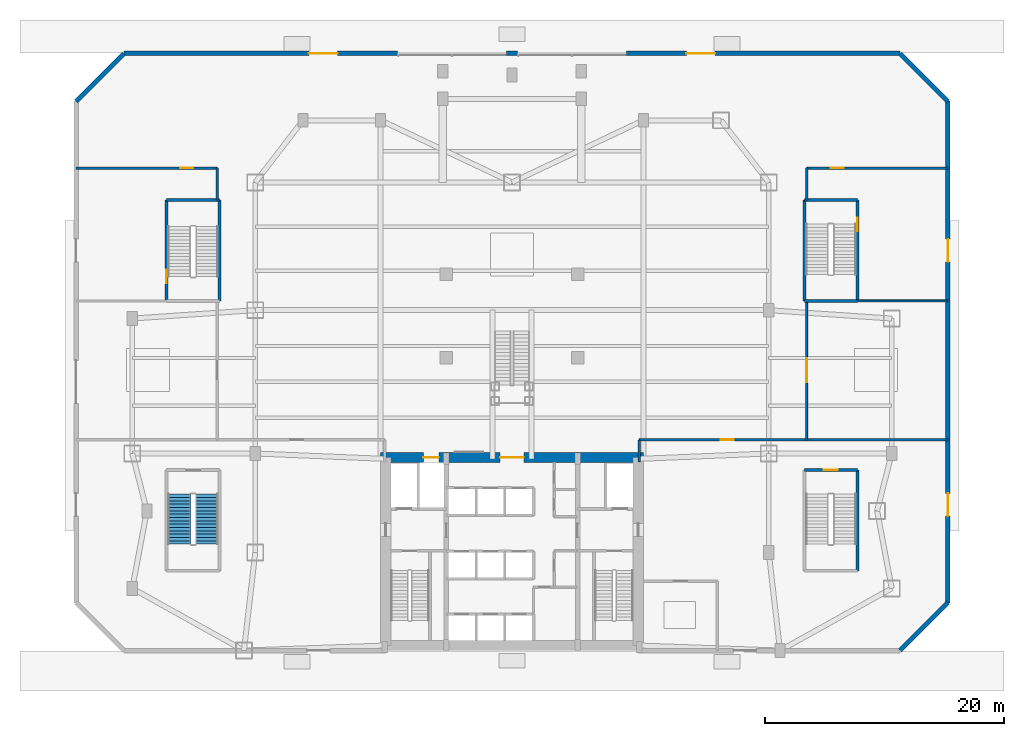
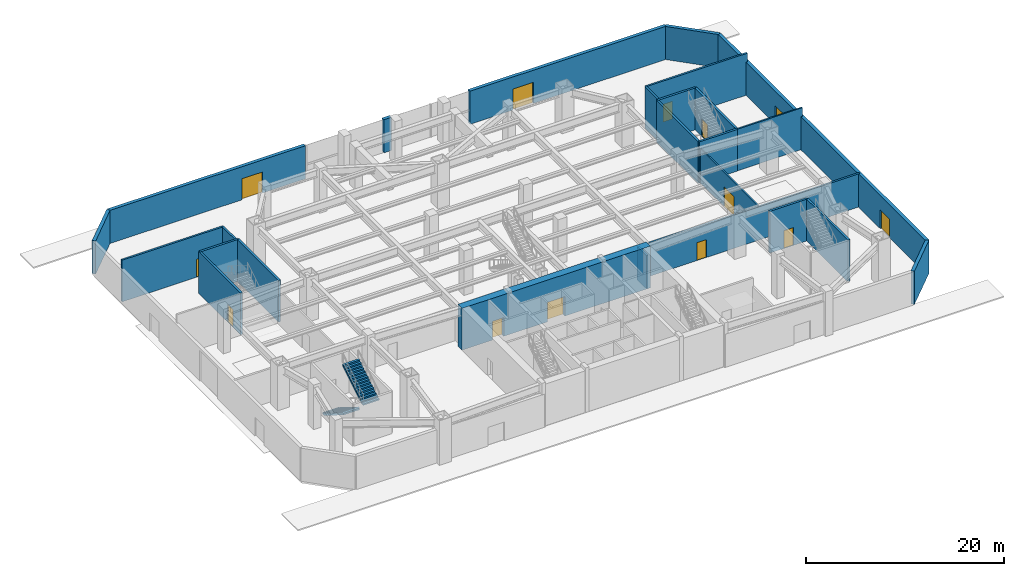
# One storey, part 7 of 11: 25 walls, 13 doors, 2 stair flights, 13 openings, 1 element without a shape of its own.
"""IFC4 building model written with IfcOpenShell, lengths in metres."""

from ifc_helpers import new_model, si_unit, direction, frame, frame_2d, origin, place, context, subcontext, project, spatial, polyline, rectangle, outline, extrude, source, transform, mapped, material, layer, layer_set, type_object, type_shapes, element, fill, aggregate, save


model = new_model("IFC4")

# Units and contexts
model_context = context("Model", 3, precision=1e-05, world=origin(), true_north=direction((0.0, 1.0)))
body_context = subcontext(model_context, "Body", "Model", "MODEL_VIEW")
ifc_project = project(units=[si_unit("LENGTHUNIT", "METRE"), si_unit("AREAUNIT", "SQUARE_METRE"), si_unit("VOLUMEUNIT", "CUBIC_METRE"), si_unit("PLANEANGLEUNIT", "RADIAN"), si_unit("MASSUNIT", "GRAM", prefix="KILO")], contexts=[model_context])

# Site, building, storey
site_placement = place(None, origin())
site = spatial("IfcSite", under=ifc_project, at=site_placement, CompositionType="ELEMENT")
building_placement = place(site_placement, origin())
building = spatial("IfcBuilding", under=site, at=building_placement, Name="Varnakhor Terracotta Tower", CompositionType="ELEMENT")
storey_placement = place(building_placement, origin())
storey = spatial("IfcBuildingStorey", under=building, at=storey_placement, Name="L00", CompositionType="ELEMENT", Elevation=0.0)

# Wall, openings, doors
ifc_material_1 = material(Name="Concrete C60/75", Category="concrete")
ifc_layer_1 = layer(ifc_material_1, 0.85009765625, Name="Concrete C60/75")
ifc_layer_set_1 = layer_set([ifc_layer_1], Name="Concrete C60/75")
wall_type_1 = type_object("IfcWallType", Name="WAL-CORE-850", PredefinedType="SHEAR", material=ifc_layer_set_1)
wall_1_placement = place(storey_placement, frame((-11.0, 16.175048828125, 0.0), z_axis=(0.0, 0.0, 1.0), x_axis=(1.0, 0.0, 0.0)))
wall_1 = element("IfcWall", 1, at=wall_1_placement, inside=storey, type_object=wall_type_1, Name="L00 North Core Shear Wall", PredefinedType="SHEAR", context=body_context, shape_type="SweptSolid", body=[
    extrude(rectangle(XDim=22.0, YDim=0.85009765625, at=frame_2d((11.0, 0.0))), origin(), (0.0, 0.0, 1.0), 5.14990234375),
])
opening_1_placement = place(wall_1_placement, frame((3.570068359375, 0.0, 0.0)))
opening_1 = element("IfcOpeningElement", 2, at=opening_1_placement, cuts=wall_1, Name="Opening LD-03", PredefinedType="OPENING", context=body_context, shape_type="SweptSolid", body=[
    extrude(rectangle(XDim=1.300048828125, YDim=2.300048828125, at=frame_2d((0.64990234375, 1.14990234375))), frame((0.0, 0.43505859375, 0.0), z_axis=(0.0, -1.0, 0.0), x_axis=(1.0, 0.0, 0.0)), (0.0, 0.0, 1.0), 0.8701171875),
])
opening_2_placement = place(wall_1_placement, frame((10.0, 0.0, 0.0)))
opening_2 = element("IfcOpeningElement", 3, at=opening_2_placement, cuts=wall_1, Name="Opening DR-32", PredefinedType="OPENING", context=body_context, shape_type="SweptSolid", body=[
    extrude(rectangle(XDim=2.0, YDim=2.39990234375, at=frame_2d((1.0, 1.199951171875))), frame((0.0, 0.43505859375, 0.0), z_axis=(0.0, -1.0, 0.0), x_axis=(1.0, 0.0, 0.0)), (0.0, 0.0, 1.0), 0.8701171875),
])
ifc_material_2 = material(Name="Heavy-Duty Goods Sliding Lift Landing Door", Category="steel")
door_type_1 = type_object("IfcDoorType", Name="LD-SRV-1300X2300", OperationType="NOTDEFINED", PredefinedType="DOOR", material=ifc_material_2)
shared_shape_1 = source(origin(), body_context, "Body", "SweptSolid", [
    extrude(rectangle(XDim=1.300048828125, YDim=2.300048828125, at=frame_2d((0.64990234375, 1.14990234375))), frame((0.0, 0.02490234375, 0.0), z_axis=(0.0, -1.0, 0.0), x_axis=(1.0, 0.0, 0.0)), (0.0, 0.0, 1.0), 0.050048828125),
])
type_shapes(door_type_1, [shared_shape_1])
door_1_placement = place(opening_1_placement, origin())
door_1 = element("IfcDoor", 4, at=door_1_placement, inside=storey, type_object=door_type_1, Name="L00 Service Lift SVL-1 Landing Door", OperationType="SLIDING_TO_RIGHT", OverallHeight=2.300048828125, OverallWidth=1.300048828125, PredefinedType="DOOR", context=body_context, shape_type="MappedRepresentation", body=[
    mapped(shared_shape_1, transform((0.0, 0.0, 0.0), scale=1.0)),
])
fill(opening_1, door_1)
ifc_material_3 = material(Name="Acoustic Double Assembly Fire Door", Category="wood")
door_type_2 = type_object("IfcDoorType", Name="DR-HALL-2000X2400", OperationType="NOTDEFINED", PredefinedType="DOOR", material=ifc_material_3)
shared_shape_2 = source(origin(), body_context, "Body", "SweptSolid", [
    extrude(rectangle(XDim=2.0, YDim=2.39990234375, at=frame_2d((1.0, 1.199951171875))), frame((0.0, 0.02490234375, 0.0), z_axis=(0.0, -1.0, 0.0), x_axis=(1.0, 0.0, 0.0)), (0.0, 0.0, 1.0), 0.050048828125),
])
type_shapes(door_type_2, [shared_shape_2])
door_2_placement = place(opening_2_placement, origin())
door_2 = element("IfcDoor", 5, at=door_2_placement, inside=storey, type_object=door_type_2, Name="L00 Core Main Lobby Double Door", OperationType="DOUBLE_DOOR_SINGLE_SWING", OverallHeight=2.39990234375, OverallWidth=2.0, PredefinedType="DOOR", context=body_context, shape_type="MappedRepresentation", body=[
    mapped(shared_shape_2, transform((0.0, 0.0, 0.0), scale=1.0)),
])
fill(opening_2, door_2)

# Walls
ifc_material_4 = material(Name="Honed Riyadh Limestone Assembly", Category="masonry")
ifc_layer_2 = layer(ifc_material_4, 0.3798828125, Name="Honed Riyadh Limestone Assembly")
ifc_layer_set_2 = layer_set([ifc_layer_2], Name="Honed Riyadh Limestone Assembly")
wall_type_2 = type_object("IfcWallType", Name="WAL-EXT-LIMESTONE-380", PredefinedType="SOLIDWALL", material=ifc_layer_set_2)
wall_2_placement = place(storey_placement, frame((-36.5, 46.0, 0.0), z_axis=(0.0, 0.0, 1.0), x_axis=(0.707106781187, 0.707106781187, 0.0)))
element("IfcWall", 6, at=wall_2_placement, inside=storey, type_object=wall_type_2, Name="L00 Podium Chamfer Limestone Wall 2", PredefinedType="SOLIDWALL", context=body_context, shape_type="SweptSolid", body=[
    extrude(rectangle(XDim=5.65673828125, YDim=0.3798828125, at=frame_2d((2.828369140625, 0.0))), origin(), (0.0, 0.0, 1.0), 4.090087890625),
])
wall_3_placement = place(storey_placement, frame((-0.449951171875, 50.0, 0.0), z_axis=(0.0, 0.0, 1.0), x_axis=(1.0, 0.0, 0.0)))
element("IfcWall", 7, at=wall_3_placement, inside=storey, type_object=wall_type_2, Name="L00 North Central Stone Pier", PredefinedType="SOLIDWALL", context=body_context, shape_type="SweptSolid", body=[
    extrude(rectangle(XDim=0.89990234375, YDim=0.3798828125, at=frame_2d((0.449951171875, 0.0))), origin(), (0.0, 0.0, 1.0), 4.090087890625),
])

# Wall, opening, door
wall_4_placement = place(storey_placement, frame((-32.5, 50.0, 0.0), z_axis=(0.0, 0.0, 1.0), x_axis=(1.0, 0.0, 0.0)))
wall_4 = element("IfcWall", 8, at=wall_4_placement, inside=storey, type_object=wall_type_2, Name="L00 North Podium Wall NW", PredefinedType="SOLIDWALL", context=body_context, shape_type="SweptSolid", body=[
    extrude(rectangle(XDim=22.89990234375, YDim=0.3798828125, at=frame_2d((11.449951171875, 0.0))), origin(), (0.0, 0.0, 1.0), 4.090087890625),
])
opening_3_placement = place(wall_4_placement, frame((15.5, 0.0, 0.0)))
opening_3 = element("IfcOpeningElement", 9, at=opening_3_placement, cuts=wall_4, Name="Opening DR-12", PredefinedType="OPENING", context=body_context, shape_type="SweptSolid", body=[
    extrude(rectangle(XDim=2.39990234375, YDim=2.60009765625, at=frame_2d((1.199951171875, 1.300048828125))), frame((0.0, 0.199951171875, 0.0), z_axis=(0.0, -1.0, 0.0), x_axis=(1.0, 0.0, 0.0)), (0.0, 0.0, 1.0), 0.39990234375),
])
ifc_material_5 = material(Name="Thermally Broken Glazed Aluminium Entrance Door", Category="aluminium")
door_type_3 = type_object("IfcDoorType", Name="DR-EXT-MAIN-2400X2600", OperationType="NOTDEFINED", PredefinedType="DOOR", material=ifc_material_5)
shared_shape_3 = source(origin(), body_context, "Body", "SweptSolid", [
    extrude(rectangle(XDim=2.39990234375, YDim=2.60009765625, at=frame_2d((1.199951171875, 1.300048828125))), frame((0.0, 0.02490234375, 0.0), z_axis=(0.0, -1.0, 0.0), x_axis=(1.0, 0.0, 0.0)), (0.0, 0.0, 1.0), 0.050048828125),
])
type_shapes(door_type_3, [shared_shape_3])
door_3_placement = place(opening_3_placement, origin())
door_3 = element("IfcDoor", 10, at=door_3_placement, inside=storey, type_object=door_type_3, Name="L00 Main Arrival Entrance Door NW", OperationType="DOUBLE_DOOR_SINGLE_SWING", OverallHeight=2.60009765625, OverallWidth=2.39990234375, PredefinedType="DOOR", context=body_context, shape_type="MappedRepresentation", body=[
    mapped(shared_shape_3, transform((0.0, 0.0, 0.0), scale=1.0)),
])
fill(opening_3, door_3)

wall_5_placement = place(storey_placement, frame((9.60009765625, 50.0, 0.0), z_axis=(0.0, 0.0, 1.0), x_axis=(1.0, 0.0, 0.0)))
wall_5 = element("IfcWall", 11, at=wall_5_placement, inside=storey, type_object=wall_type_2, Name="L00 North Podium Wall NE", PredefinedType="SOLIDWALL", context=body_context, shape_type="SweptSolid", body=[
    extrude(rectangle(XDim=22.89990234375, YDim=0.3798828125, at=frame_2d((11.449951171875, 0.0))), origin(), (0.0, 0.0, 1.0), 4.090087890625),
])
opening_4_placement = place(wall_5_placement, frame((5.0, 0.0, 0.0)))
opening_4 = element("IfcOpeningElement", 12, at=opening_4_placement, cuts=wall_5, Name="Opening DR-12", PredefinedType="OPENING", context=body_context, shape_type="SweptSolid", body=[
    extrude(rectangle(XDim=2.39990234375, YDim=2.60009765625, at=frame_2d((1.199951171875, 1.300048828125))), frame((0.0, 0.199951171875, 0.0), z_axis=(0.0, -1.0, 0.0), x_axis=(1.0, 0.0, 0.0)), (0.0, 0.0, 1.0), 0.39990234375),
])
door_4_placement = place(opening_4_placement, origin())
door_4 = element("IfcDoor", 13, at=door_4_placement, inside=storey, type_object=door_type_3, Name="L00 Main Arrival Entrance Door NE", OperationType="DOUBLE_DOOR_SINGLE_SWING", OverallHeight=2.60009765625, OverallWidth=2.39990234375, PredefinedType="DOOR", context=body_context, shape_type="MappedRepresentation", body=[
    mapped(shared_shape_3, transform((0.0, 0.0, 0.0), scale=1.0)),
])
fill(opening_4, door_4)

# Wall
wall_6_placement = place(storey_placement, frame((32.5, 50.0, 0.0), z_axis=(0.0, 0.0, 1.0), x_axis=(0.707106781187, -0.707106781187, 0.0)))
element("IfcWall", 14, at=wall_6_placement, inside=storey, type_object=wall_type_2, Name="L00 Podium Chamfer Limestone Wall 4", PredefinedType="SOLIDWALL", context=body_context, shape_type="SweptSolid", body=[
    extrude(rectangle(XDim=5.65673828125, YDim=0.3798828125, at=frame_2d((2.828369140625, 0.0))), origin(), (0.0, 0.0, 1.0), 4.090087890625),
])

# Wall, openings, doors
wall_7_placement = place(storey_placement, frame((36.5, 46.0, 0.0), z_axis=(0.0, 0.0, 1.0), x_axis=(0.0, -1.0, 0.0)))
wall_7 = element("IfcWall", 15, at=wall_7_placement, inside=storey, type_object=wall_type_2, Name="L00 Podium Side Limestone Wall 5", PredefinedType="SOLIDWALL", context=body_context, shape_type="SweptSolid", body=[
    extrude(rectangle(XDim=42.0, YDim=0.3798828125, at=frame_2d((21.0, 0.0))), origin(), (0.0, 0.0, 1.0), 4.090087890625),
])
opening_5_placement = place(wall_7_placement, frame((32.85009765625, 0.0, 0.0)))
opening_5 = element("IfcOpeningElement", 16, at=opening_5_placement, cuts=wall_7, Name="Opening DR-56", PredefinedType="OPENING", context=body_context, shape_type="SweptSolid", body=[
    extrude(rectangle(XDim=1.89990234375, YDim=2.300048828125, at=frame_2d((0.949951171875, 1.14990234375))), frame((0.0, 0.199951171875, 0.0), z_axis=(0.0, -1.0, 0.0), x_axis=(1.0, 0.0, 0.0)), (0.0, 0.0, 1.0), 0.39990234375),
])
opening_6_placement = place(wall_7_placement, frame((11.550048828125, 0.0, 0.0)))
opening_6 = element("IfcOpeningElement", 17, at=opening_6_placement, cuts=wall_7, Name="Opening DR-56", PredefinedType="OPENING", context=body_context, shape_type="SweptSolid", body=[
    extrude(rectangle(XDim=1.89990234375, YDim=2.300048828125, at=frame_2d((0.949951171875, 1.14990234375))), frame((0.0, 0.199951171875, 0.0), z_axis=(0.0, -1.0, 0.0), x_axis=(1.0, 0.0, 0.0)), (0.0, 0.0, 1.0), 0.39990234375),
])
ifc_material_6 = material(Name="Insulated Steel Double Exit Door", Category="steel")
door_type_4 = type_object("IfcDoorType", Name="DR-EXT-EXIT-1900X2300", OperationType="NOTDEFINED", PredefinedType="DOOR", material=ifc_material_6)
shared_shape_4 = source(origin(), body_context, "Body", "SweptSolid", [
    extrude(rectangle(XDim=1.89990234375, YDim=2.300048828125, at=frame_2d((0.949951171875, 1.14990234375))), frame((0.0, 0.02490234375, 0.0), z_axis=(0.0, -1.0, 0.0), x_axis=(1.0, 0.0, 0.0)), (0.0, 0.0, 1.0), 0.050048828125),
])
type_shapes(door_type_4, [shared_shape_4])
door_5_placement = place(opening_5_placement, origin())
door_5 = element("IfcDoor", 18, at=door_5_placement, inside=storey, type_object=door_type_4, Name="L00 Podium Exit Discharge Door E1", OperationType="DOUBLE_DOOR_SINGLE_SWING", OverallHeight=2.300048828125, OverallWidth=1.89990234375, PredefinedType="DOOR", context=body_context, shape_type="MappedRepresentation", body=[
    mapped(shared_shape_4, transform((0.0, 0.0, 0.0), scale=1.0)),
])
fill(opening_5, door_5)
door_6_placement = place(opening_6_placement, origin())
door_6 = element("IfcDoor", 19, at=door_6_placement, inside=storey, type_object=door_type_4, Name="L00 Podium Exit Discharge Door E2", OperationType="DOUBLE_DOOR_SINGLE_SWING", OverallHeight=2.300048828125, OverallWidth=1.89990234375, PredefinedType="DOOR", context=body_context, shape_type="MappedRepresentation", body=[
    mapped(shared_shape_4, transform((0.0, 0.0, 0.0), scale=1.0)),
])
fill(opening_6, door_6)

# Wall
wall_8_placement = place(storey_placement, frame((36.5, 4.0, 0.0), z_axis=(0.0, 0.0, 1.0), x_axis=(-0.707106781187, -0.707106781187, 0.0)))
element("IfcWall", 20, at=wall_8_placement, inside=storey, type_object=wall_type_2, Name="L00 Podium Chamfer Limestone Wall 6", PredefinedType="SOLIDWALL", context=body_context, shape_type="SweptSolid", body=[
    extrude(rectangle(XDim=5.65673828125, YDim=0.3798828125, at=frame_2d((2.828369140625, 0.0))), origin(), (0.0, 0.0, 1.0), 4.090087890625),
])

# Wall, opening, door
ifc_material_7 = material(Name="Concrete C40/50", Category="concrete")
ifc_layer_3 = layer(ifc_material_7, 0.219970703125, Name="Concrete C40/50")
ifc_layer_set_3 = layer_set([ifc_layer_3], Name="Concrete C40/50")
wall_type_3 = type_object("IfcWallType", Name="WAL-FFLOBBY-220", PredefinedType="SOLIDWALL", material=ifc_layer_set_3)
wall_9_placement = place(storey_placement, frame((10.64990234375, 17.64990234375, 0.0), z_axis=(0.0, 0.0, 1.0), x_axis=(1.0, 0.0, 0.0)))
wall_9 = element("IfcWall", 21, at=wall_9_placement, inside=storey, type_object=wall_type_3, Name="L00 East Protected Exit Passageway North Wall", PredefinedType="SOLIDWALL", context=body_context, shape_type="SweptSolid", body=[
    extrude(rectangle(XDim=25.840087890625, YDim=0.219970703125, at=frame_2d((12.919921875, 0.0))), origin(), (0.0, 0.0, 1.0), 4.10205078125),
])
opening_7_placement = place(wall_9_placement, frame((6.834716796875, 0.0, 0.0)))
opening_7 = element("IfcOpeningElement", 22, at=opening_7_placement, cuts=wall_9, Name="Opening DR-25", PredefinedType="OPENING", context=body_context, shape_type="SweptSolid", body=[
    extrude(rectangle(XDim=1.10009765625, YDim=2.199951171875, at=frame_2d((0.550048828125, 1.10009765625))), frame((0.0, 0.1201171875, 0.0), z_axis=(0.0, -1.0, 0.0), x_axis=(1.0, 0.0, 0.0)), (0.0, 0.0, 1.0), 0.239990234375),
])
ifc_material_8 = material(Name="Firefighting Lobby Self-Closing Fire Door", Category="steel")
door_type_5 = type_object("IfcDoorType", Name="DR-FFL-1100X2200", OperationType="NOTDEFINED", PredefinedType="DOOR", material=ifc_material_8)
shared_shape_5 = source(origin(), body_context, "Body", "SweptSolid", [
    extrude(rectangle(XDim=1.10009765625, YDim=2.199951171875, at=frame_2d((0.550048828125, 1.10009765625))), frame((0.0, 0.02490234375, 0.0), z_axis=(0.0, -1.0, 0.0), x_axis=(1.0, 0.0, 0.0)), (0.0, 0.0, 1.0), 0.050048828125),
])
type_shapes(door_type_5, [shared_shape_5])
door_7_placement = place(opening_7_placement, origin())
door_7 = element("IfcDoor", 23, at=door_7_placement, inside=storey, type_object=door_type_5, Name="East Exit Passageway Fire Door", OperationType="SINGLE_SWING_LEFT", OverallHeight=2.199951171875, OverallWidth=1.10009765625, PredefinedType="DOOR", context=body_context, shape_type="MappedRepresentation", body=[
    mapped(shared_shape_5, transform((0.0, 0.0, 0.0), scale=1.0)),
])
fill(opening_7, door_7)

# Walls
wall_10_placement = place(storey_placement, frame((10.64990234375, 15.800048828125, 0.0), z_axis=(0.0, 0.0, 1.0), x_axis=(0.0, 1.0, 0.0)))
element("IfcWall", 24, at=wall_10_placement, inside=storey, type_object=wall_type_3, Name="L00 East Protected Exit Passageway Core Return Wall", PredefinedType="SOLIDWALL", context=body_context, shape_type="SweptSolid", body=[
    extrude(rectangle(XDim=1.849853515625, YDim=0.219970703125, at=frame_2d((0.9248046875, 0.0))), origin(), (0.0, 0.0, 1.0), 4.10205078125),
])
wall_11_placement = place(storey_placement, frame((-24.679931640625, 37.719970703125, 0.0), z_axis=(0.0, 0.0, 1.0), x_axis=(0.0, 1.0, 0.0)))
element("IfcWall", 25, at=wall_11_placement, inside=storey, type_object=wall_type_3, Name="L00 North-West Exit Passageway East Wall", PredefinedType="SOLIDWALL", context=body_context, shape_type="SweptSolid", body=[
    extrude(rectangle(XDim=2.679931640625, YDim=0.219970703125, at=frame_2d((1.33984375, 0.0))), origin(), (0.0, 0.0, 1.0), 5.14208984375),
])

# Wall, opening, door
wall_12_placement = place(storey_placement, frame((-36.489990234375, 40.39990234375, 0.0), z_axis=(0.0, 0.0, 1.0), x_axis=(1.0, 0.0, 0.0)))
wall_12 = element("IfcWall", 26, at=wall_12_placement, inside=storey, type_object=wall_type_3, Name="L00 North-West Exit Passageway North Wall", PredefinedType="SOLIDWALL", context=body_context, shape_type="SweptSolid", body=[
    extrude(rectangle(XDim=11.81005859375, YDim=0.219970703125, at=frame_2d((5.905029296875, 0.0))), origin(), (0.0, 0.0, 1.0), 5.14208984375),
])
opening_8_placement = place(wall_12_placement, frame((8.694091796875, 0.0, 0.0)))
opening_8 = element("IfcOpeningElement", 27, at=opening_8_placement, cuts=wall_12, Name="Opening DR-25", PredefinedType="OPENING", context=body_context, shape_type="SweptSolid", body=[
    extrude(rectangle(XDim=1.10009765625, YDim=2.199951171875, at=frame_2d((0.550048828125, 1.10009765625))), frame((0.0, 0.1201171875, 0.0), z_axis=(0.0, -1.0, 0.0), x_axis=(1.0, 0.0, 0.0)), (0.0, 0.0, 1.0), 0.239990234375),
])
door_8_placement = place(opening_8_placement, origin())
door_8 = element("IfcDoor", 28, at=door_8_placement, inside=storey, type_object=door_type_5, Name="North-West Exit Passageway Fire Door", OperationType="SINGLE_SWING_RIGHT", OverallHeight=2.199951171875, OverallWidth=1.10009765625, PredefinedType="DOOR", context=body_context, shape_type="MappedRepresentation", body=[
    mapped(shared_shape_5, transform((0.0, 0.0, 0.0), scale=1.0)),
])
fill(opening_8, door_8)

# Wall
wall_13_placement = place(storey_placement, frame((24.679931640625, 37.719970703125, 0.0), z_axis=(0.0, 0.0, 1.0), x_axis=(0.0, 1.0, 0.0)))
element("IfcWall", 29, at=wall_13_placement, inside=storey, type_object=wall_type_3, Name="L00 North-East Exit Passageway West Wall", PredefinedType="SOLIDWALL", context=body_context, shape_type="SweptSolid", body=[
    extrude(rectangle(XDim=2.679931640625, YDim=0.219970703125, at=frame_2d((1.33984375, 0.0))), origin(), (0.0, 0.0, 1.0), 5.14208984375),
])

# Wall, opening, door
wall_14_placement = place(storey_placement, frame((24.679931640625, 40.39990234375, 0.0), z_axis=(0.0, 0.0, 1.0), x_axis=(1.0, 0.0, 0.0)))
wall_14 = element("IfcWall", 30, at=wall_14_placement, inside=storey, type_object=wall_type_3, Name="L00 North-East Exit Passageway North Wall", PredefinedType="SOLIDWALL", context=body_context, shape_type="SweptSolid", body=[
    extrude(rectangle(XDim=11.81005859375, YDim=0.219970703125, at=frame_2d((5.905029296875, 0.0))), origin(), (0.0, 0.0, 1.0), 5.14208984375),
])
opening_9_placement = place(wall_14_placement, frame((2.01611328125, 0.0, 0.0)))
opening_9 = element("IfcOpeningElement", 31, at=opening_9_placement, cuts=wall_14, Name="Opening DR-25", PredefinedType="OPENING", context=body_context, shape_type="SweptSolid", body=[
    extrude(rectangle(XDim=1.10009765625, YDim=2.199951171875, at=frame_2d((0.550048828125, 1.10009765625))), frame((0.0, 0.1201171875, 0.0), z_axis=(0.0, -1.0, 0.0), x_axis=(1.0, 0.0, 0.0)), (0.0, 0.0, 1.0), 0.239990234375),
])
door_9_placement = place(opening_9_placement, origin())
door_9 = element("IfcDoor", 32, at=door_9_placement, inside=storey, type_object=door_type_5, Name="North-East Exit Passageway Fire Door", OperationType="SINGLE_SWING_LEFT", OverallHeight=2.199951171875, OverallWidth=1.10009765625, PredefinedType="DOOR", context=body_context, shape_type="MappedRepresentation", body=[
    mapped(shared_shape_5, transform((0.0, 0.0, 0.0), scale=1.0)),
])
fill(opening_9, door_9)

# Wall
ifc_layer_4 = layer(ifc_material_7, 0.25, Name="Concrete C40/50")
ifc_layer_set_4 = layer_set([ifc_layer_4], Name="Concrete C40/50")
wall_type_4 = type_object("IfcWallType", Name="WAL-SHAFT-250", PredefinedType="SOLIDWALL", material=ifc_layer_set_4)
wall_15_placement = place(storey_placement, frame((28.919921875, 6.679931640625, 0.0), z_axis=(0.0, 0.0, 1.0), x_axis=(0.0, 1.0, 0.0)))
element("IfcWall", 33, at=wall_15_placement, inside=storey, type_object=wall_type_4, Name="L00 ST-P2 Bearing Shaft Wall E", PredefinedType="SOLIDWALL", context=body_context, shape_type="SweptSolid", body=[
    extrude(rectangle(XDim=8.440185546875, YDim=0.25, at=frame_2d((4.22021484375, 0.0))), origin(), (0.0, 0.0, 1.0), 5.14990234375),
])

# Wall, opening, door
wall_16_placement = place(storey_placement, frame((24.47998046875, 15.1201171875, 0.0), z_axis=(0.0, 0.0, 1.0), x_axis=(1.0, 0.0, 0.0)))
wall_16 = element("IfcWall", 34, at=wall_16_placement, inside=storey, type_object=wall_type_4, Name="L00 ST-P2 Bearing Shaft Wall N", PredefinedType="SOLIDWALL", context=body_context, shape_type="SweptSolid", body=[
    extrude(rectangle(XDim=4.43994140625, YDim=0.25, at=frame_2d((2.219970703125, 0.0))), origin(), (0.0, 0.0, 1.0), 5.14990234375),
])
opening_10_placement = place(wall_16_placement, frame((1.64501953125, 0.0, 0.0)))
opening_10 = element("IfcOpeningElement", 35, at=opening_10_placement, cuts=wall_16, Name="Opening DR-34", PredefinedType="OPENING", context=body_context, shape_type="SweptSolid", body=[
    extrude(rectangle(XDim=1.14990234375, YDim=2.199951171875, at=frame_2d((0.574951171875, 1.10009765625))), frame((0.0, 0.135009765625, 0.0), z_axis=(0.0, -1.0, 0.0), x_axis=(1.0, 0.0, 0.0)), (0.0, 0.0, 1.0), 0.27001953125),
])
ifc_material_9 = material(Name="Self-Closing Smoke-Sealed Steel Fire Door", Category="steel")
door_type_6 = type_object("IfcDoorType", Name="DR-STAIR-1150X2200", OperationType="NOTDEFINED", PredefinedType="DOOR", material=ifc_material_9)
shared_shape_6 = source(origin(), body_context, "Body", "SweptSolid", [
    extrude(rectangle(XDim=1.14990234375, YDim=2.199951171875, at=frame_2d((0.574951171875, 1.10009765625))), frame((0.0, 0.02490234375, 0.0), z_axis=(0.0, -1.0, 0.0), x_axis=(1.0, 0.0, 0.0)), (0.0, 0.0, 1.0), 0.050048828125),
])
type_shapes(door_type_6, [shared_shape_6])
door_10_placement = place(opening_10_placement, origin())
door_10 = element("IfcDoor", 36, at=door_10_placement, inside=storey, type_object=door_type_6, Name="L00 Exit Stair ST-P2 Fire Door", OperationType="SINGLE_SWING_RIGHT", OverallHeight=2.199951171875, OverallWidth=1.14990234375, PredefinedType="DOOR", context=body_context, shape_type="MappedRepresentation", body=[
    mapped(shared_shape_6, transform((0.0, 0.0, 0.0), scale=1.0)),
])
fill(opening_10, door_10)

wall_17_placement = place(storey_placement, frame((-28.919921875, 37.719970703125, 0.0), z_axis=(0.0, 0.0, 1.0), x_axis=(0.0, -1.0, 0.0)))
wall_17 = element("IfcWall", 37, at=wall_17_placement, inside=storey, type_object=wall_type_4, Name="L00 ST-P3 Bearing Shaft Wall W", PredefinedType="SOLIDWALL", context=body_context, shape_type="SweptSolid", body=[
    extrude(rectangle(XDim=8.43994140625, YDim=0.25, at=frame_2d((4.219970703125, 0.0))), origin(), (0.0, 0.0, 1.0), 5.14990234375),
])
opening_11_placement = place(wall_17_placement, frame((5.81787109375, 0.0, 0.0)))
opening_11 = element("IfcOpeningElement", 38, at=opening_11_placement, cuts=wall_17, Name="Opening DR-34", PredefinedType="OPENING", context=body_context, shape_type="SweptSolid", body=[
    extrude(rectangle(XDim=1.14990234375, YDim=2.199951171875, at=frame_2d((0.574951171875, 1.10009765625))), frame((0.0, 0.135009765625, 0.0), z_axis=(0.0, -1.0, 0.0), x_axis=(1.0, 0.0, 0.0)), (0.0, 0.0, 1.0), 0.27001953125),
])
door_11_placement = place(opening_11_placement, origin())
door_11 = element("IfcDoor", 39, at=door_11_placement, inside=storey, type_object=door_type_6, Name="L00 Exit Stair ST-P3 Fire Door", OperationType="SINGLE_SWING_LEFT", OverallHeight=2.199951171875, OverallWidth=1.14990234375, PredefinedType="DOOR", context=body_context, shape_type="MappedRepresentation", body=[
    mapped(shared_shape_6, transform((0.0, 0.0, 0.0), scale=1.0)),
])
fill(opening_11, door_11)

# Walls
wall_18_placement = place(storey_placement, frame((-24.47998046875, 29.280029296875, 0.0), z_axis=(0.0, 0.0, 1.0), x_axis=(0.0, 1.0, 0.0)))
element("IfcWall", 40, at=wall_18_placement, inside=storey, type_object=wall_type_4, Name="L00 ST-P3 Bearing Shaft Wall E", PredefinedType="SOLIDWALL", context=body_context, shape_type="SweptSolid", body=[
    extrude(rectangle(XDim=8.43994140625, YDim=0.25, at=frame_2d((4.219970703125, 0.0))), origin(), (0.0, 0.0, 1.0), 5.14990234375),
])
wall_19_placement = place(storey_placement, frame((-28.919921875, 37.719970703125, 0.0), z_axis=(0.0, 0.0, 1.0), x_axis=(1.0, 0.0, 0.0)))
element("IfcWall", 41, at=wall_19_placement, inside=storey, type_object=wall_type_4, Name="L00 ST-P3 Bearing Shaft Wall N", PredefinedType="SOLIDWALL", context=body_context, shape_type="SweptSolid", body=[
    extrude(rectangle(XDim=4.43994140625, YDim=0.25, at=frame_2d((2.219970703125, 0.0))), origin(), (0.0, 0.0, 1.0), 5.14990234375),
])
wall_20_placement = place(storey_placement, frame((24.47998046875, 29.280029296875, 0.0), z_axis=(0.0, 0.0, 1.0), x_axis=(0.0, 1.0, 0.0)))
element("IfcWall", 42, at=wall_20_placement, inside=storey, type_object=wall_type_4, Name="L00 ST-P4 Bearing Shaft Wall W", PredefinedType="SOLIDWALL", context=body_context, shape_type="SweptSolid", body=[
    extrude(rectangle(XDim=8.43994140625, YDim=0.25, at=frame_2d((4.219970703125, 0.0))), origin(), (0.0, 0.0, 1.0), 5.14990234375),
])

# Wall, opening, door
wall_21_placement = place(storey_placement, frame((28.919921875, 29.280029296875, 0.0), z_axis=(0.0, 0.0, 1.0), x_axis=(0.0, 1.0, 0.0)))
wall_21 = element("IfcWall", 43, at=wall_21_placement, inside=storey, type_object=wall_type_4, Name="L00 ST-P4 Bearing Shaft Wall E", PredefinedType="SOLIDWALL", context=body_context, shape_type="SweptSolid", body=[
    extrude(rectangle(XDim=8.43994140625, YDim=0.25, at=frame_2d((4.219970703125, 0.0))), origin(), (0.0, 0.0, 1.0), 5.14990234375),
])
opening_12_placement = place(wall_21_placement, frame((5.81787109375, 0.0, 0.0)))
opening_12 = element("IfcOpeningElement", 44, at=opening_12_placement, cuts=wall_21, Name="Opening DR-34", PredefinedType="OPENING", context=body_context, shape_type="SweptSolid", body=[
    extrude(rectangle(XDim=1.14990234375, YDim=2.199951171875, at=frame_2d((0.574951171875, 1.10009765625))), frame((0.0, 0.135009765625, 0.0), z_axis=(0.0, -1.0, 0.0), x_axis=(1.0, 0.0, 0.0)), (0.0, 0.0, 1.0), 0.27001953125),
])
door_12_placement = place(opening_12_placement, origin())
door_12 = element("IfcDoor", 45, at=door_12_placement, inside=storey, type_object=door_type_6, Name="L00 Exit Stair ST-P4 Fire Door", OperationType="SINGLE_SWING_RIGHT", OverallHeight=2.199951171875, OverallWidth=1.14990234375, PredefinedType="DOOR", context=body_context, shape_type="MappedRepresentation", body=[
    mapped(shared_shape_6, transform((0.0, 0.0, 0.0), scale=1.0)),
])
fill(opening_12, door_12)

# Walls
for number, where, z_axis, x_axis, name in (
    (46, (28.919921875, 29.280029296875, 0.0), (0.0, 0.0, 1.0), (-1.0, 0.0, 0.0), "L00 ST-P4 Bearing Shaft Wall S"),
    (47, (24.47998046875, 37.719970703125, 0.0), (0.0, 0.0, 1.0), (1.0, 0.0, 0.0), "L00 ST-P4 Bearing Shaft Wall N"),
):
    element("IfcWall", number, at=place(storey_placement, frame(where, z_axis=z_axis, x_axis=x_axis)), inside=storey, type_object=wall_type_4, Name=name, PredefinedType="SOLIDWALL", context=body_context, shape_type="SweptSolid", body=[
        extrude(rectangle(XDim=4.43994140625, YDim=0.25, at=frame_2d((2.219970703125, 0.0))), origin(), (0.0, 0.0, 1.0), 5.14990234375),
    ])

# Wall, opening, door
ifc_material_10 = material(Name="Acoustic Fire-Rated Partition", Category="gypsum")
ifc_layer_5 = layer(ifc_material_10, 0.1650390625, Name="Acoustic Fire-Rated Partition")
ifc_layer_set_5 = layer_set([ifc_layer_5], Name="Acoustic Fire-Rated Partition")
wall_type_5 = type_object("IfcWallType", Name="WAL-TENANCY-165", PredefinedType="PARTITIONING", material=ifc_layer_set_5)
wall_22_placement = place(storey_placement, frame((24.679931640625, 17.64990234375, 0.0), z_axis=(0.0, 0.0, 1.0), x_axis=(0.0, 1.0, 0.0)))
wall_22 = element("IfcWall", 48, at=wall_22_placement, inside=storey, type_object=wall_type_5, Name="L00 Cafe Brasserie West Wall", PredefinedType="PARTITIONING", context=body_context, shape_type="SweptSolid", body=[
    extrude(rectangle(XDim=11.630126953125, YDim=0.1650390625, at=frame_2d((5.81494140625, 0.0))), origin(), (0.0, 0.0, 1.0), 4.215087890625),
])
opening_13_placement = place(wall_22_placement, frame((4.81494140625, 0.0, 0.0)))
opening_13 = element("IfcOpeningElement", 49, at=opening_13_placement, cuts=wall_22, Name="Opening DR-32", PredefinedType="OPENING", context=body_context, shape_type="SweptSolid", body=[
    extrude(rectangle(XDim=2.0, YDim=2.39990234375, at=frame_2d((1.0, 1.199951171875))), frame((0.0, 0.092529296875, 0.0), z_axis=(0.0, -1.0, 0.0), x_axis=(1.0, 0.0, 0.0)), (0.0, 0.0, 1.0), 0.18505859375),
])
door_13_placement = place(opening_13_placement, origin())
door_13 = element("IfcDoor", 50, at=door_13_placement, inside=storey, type_object=door_type_2, Name="Ground Cafe Entrance", OperationType="DOUBLE_DOOR_SINGLE_SWING", OverallHeight=2.39990234375, OverallWidth=2.0, PredefinedType="DOOR", context=body_context, shape_type="MappedRepresentation", body=[
    mapped(shared_shape_2, transform((0.0, 0.0, 0.0), scale=1.0)),
])
fill(opening_13, door_13)

# Wall
wall_23_placement = place(storey_placement, frame((28.919921875, 29.280029296875, 0.0), z_axis=(0.0, 0.0, 1.0), x_axis=(1.0, 0.0, 0.0)))
element("IfcWall", 51, at=wall_23_placement, inside=storey, type_object=wall_type_5, Name="L00 Cafe Brasserie North Wall", PredefinedType="PARTITIONING", context=body_context, shape_type="SweptSolid", body=[
    extrude(rectangle(XDim=7.570068359375, YDim=0.1650390625, at=frame_2d((3.78515625, 0.0))), origin(), (0.0, 0.0, 1.0), 5.14208984375),
])

# Stair, stair flights
stair_type = type_object("IfcStairType", Name="STR-PODIUM-EXIT-2000", PredefinedType="HALF_TURN_STAIR", material=ifc_material_7)
stair_placement = place(storey_placement, origin())
stair = element("IfcStair", 52, at=stair_placement, inside=storey, type_object=stair_type, Name="L00 Podium Assembly Exit Stair ST-P1", PredefinedType="HALF_TURN_STAIR")
stair_flight_type = type_object("IfcStairFlightType", Name="FLT-PODIUM-2000", PredefinedType="STRAIGHT", material=ifc_material_7)
stair_flight_1_placement = place(storey_placement, frame((-27.85009765625, 13.10009765625, 0.0), z_axis=(0.0, 0.0, 1.0), x_axis=(0.0, -1.0, 0.0)))
stair_flight_1 = element("IfcStairFlight", 53, at=stair_flight_1_placement, type_object=stair_flight_type, Name="ST-P1 flight 1", NumberOfRisers=16, NumberOfTreads=15, PredefinedType="STRAIGHT", RiserHeight=0.171875, TreadLength=0.28, context=body_context, shape_type="SweptSolid", body=[
    extrude(outline(polyline([(0.0, 0.0), (0.0, 0.171875), (0.280029296875, 0.171875), (0.280029296875, 0.34375), (0.56005859375, 0.34375), (0.56005859375, 0.515625), (0.840087890625, 0.515625), (0.840087890625, 0.6875), (1.1201171875, 0.6875), (1.1201171875, 0.859375), (1.39990234375, 0.859375), (1.39990234375, 1.03125), (1.679931640625, 1.03125), (1.679931640625, 1.203125), (1.9599609375, 1.203125), (1.9599609375, 1.375), (2.239990234375, 1.375), (2.239990234375, 1.546875), (2.52001953125, 1.546875), (2.52001953125, 1.71875), (2.800048828125, 1.71875), (2.800048828125, 1.890625), (3.080078125, 1.890625), (3.080078125, 2.0625), (3.360107421875, 2.0625), (3.360107421875, 2.234375), (3.639892578125, 2.234375), (3.639892578125, 2.40625), (3.919921875, 2.40625), (3.919921875, 2.578125), (4.199951171875, 2.578125), (4.199951171875, 2.75), (4.199951171875, 2.366943359375), (0.343994140625, 0.0), (0.0, 0.0)])), frame((0.0, 0.949951171875, 0.0), z_axis=(0.0, -1.0, 0.0), x_axis=(1.0, 0.0, 0.0)), (0.0, 0.0, 1.0), 1.89990234375),
])
stair_flight_2_placement = place(storey_placement, frame((-25.550048828125, 8.89990234375, 2.75), z_axis=(0.0, 0.0, 1.0), x_axis=(0.0, 1.0, 0.0)))
stair_flight_2 = element("IfcStairFlight", 54, at=stair_flight_2_placement, type_object=stair_flight_type, Name="ST-P1 flight 2", NumberOfRisers=16, NumberOfTreads=15, PredefinedType="STRAIGHT", RiserHeight=0.171875, TreadLength=0.28, context=body_context, shape_type="SweptSolid", body=[
    extrude(outline(polyline([(0.0, 0.0), (0.0, 0.171875), (0.280029296875, 0.171875), (0.280029296875, 0.34375), (0.56005859375, 0.34375), (0.56005859375, 0.515625), (0.840087890625, 0.515625), (0.840087890625, 0.6875), (1.1201171875, 0.6875), (1.1201171875, 0.859375), (1.39990234375, 0.859375), (1.39990234375, 1.03125), (1.679931640625, 1.03125), (1.679931640625, 1.203125), (1.9599609375, 1.203125), (1.9599609375, 1.375), (2.239990234375, 1.375), (2.239990234375, 1.546875), (2.52001953125, 1.546875), (2.52001953125, 1.71875), (2.800048828125, 1.71875), (2.800048828125, 1.890625), (3.080078125, 1.890625), (3.080078125, 2.0625), (3.360107421875, 2.0625), (3.360107421875, 2.234375), (3.639892578125, 2.234375), (3.639892578125, 2.40625), (3.919921875, 2.40625), (3.919921875, 2.578125), (4.199951171875, 2.578125), (4.199951171875, 2.75), (4.199951171875, 2.366943359375), (0.343994140625, 0.0), (0.0, 0.0)])), frame((0.0, 0.949951171875, 0.0), z_axis=(0.0, -1.0, 0.0), x_axis=(1.0, 0.0, 0.0)), (0.0, 0.0, 1.0), 1.89990234375),
])
aggregate(stair, [stair_flight_1, stair_flight_2])

save(model, "model.ifc")
